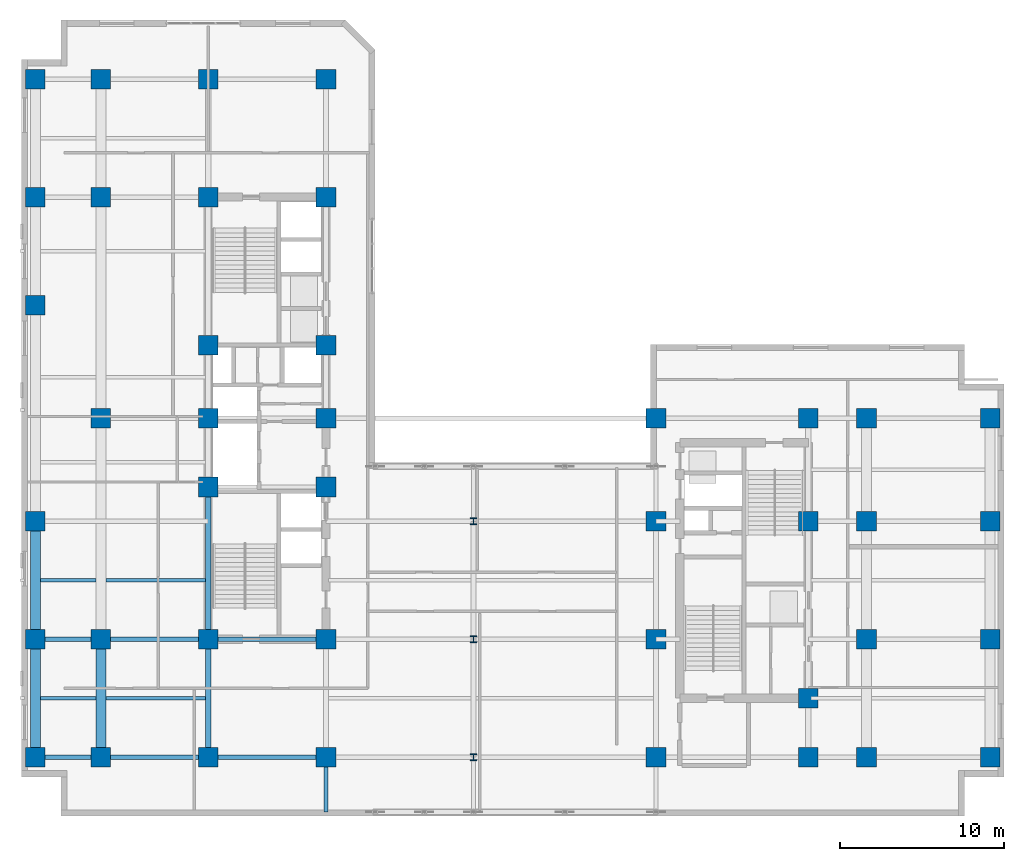
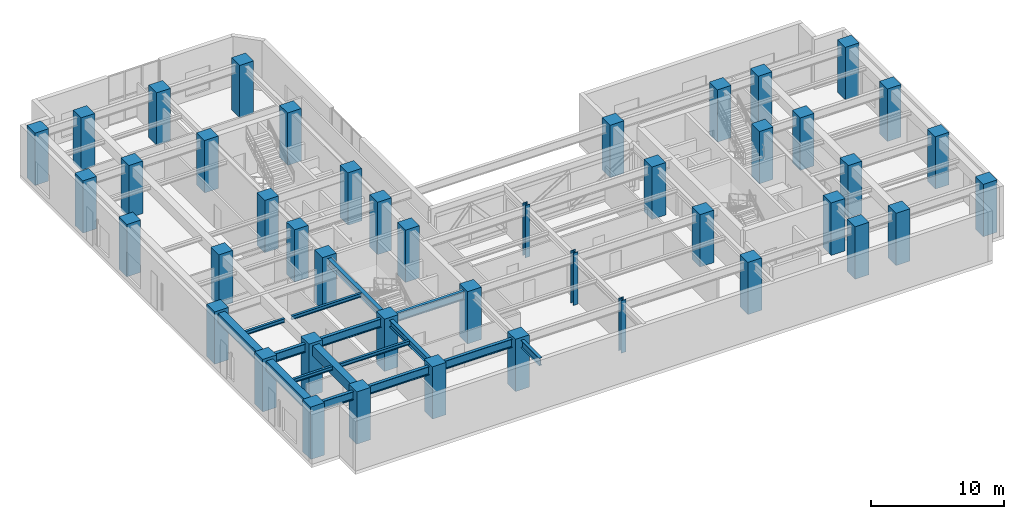
# One storey, part 1 of 18: 44 columns, 16 beams.
"""IFC4 building model written with IfcOpenShell, lengths in metres."""

from ifc_helpers import new_model, entity, si_unit, converted_unit, direction, frame, origin_with_axes, origin_2d_with_axis, place, context, subcontext, project, spatial, rectangle, i_section, extrude, material, material_profile, profile_set, type_object, element, save


model = new_model("IFC4")

# Units and contexts
model_context = context("Model", 3, precision=1e-05, world=origin_with_axes(), true_north=direction((0.0, 1.0)))
body_context = subcontext(model_context, "Body", "Model", "MODEL_VIEW")
ifc_project = project(units=[si_unit("LENGTHUNIT", "METRE"), si_unit("AREAUNIT", "SQUARE_METRE"), si_unit("VOLUMEUNIT", "CUBIC_METRE"), converted_unit("PLANEANGLEUNIT", "DEGREE", entity("IfcPlaneAngleMeasure", 0.017453292519943295), si_unit("PLANEANGLEUNIT", "RADIAN"), dimensions=[0, 0, 0, 0, 0, 0, 0]), si_unit("MASSUNIT", "GRAM", prefix="KILO"), si_unit("THERMODYNAMICTEMPERATUREUNIT", "KELVIN")], contexts=[model_context])

# Site, building, storey
site_placement = place(None, origin_with_axes())
site = spatial("IfcSite", under=ifc_project, at=site_placement, CompositionType="ELEMENT")
building_placement = place(site_placement, origin_with_axes())
building = spatial("IfcBuilding", under=site, at=building_placement, Name="Varnlund Millrace Tower", CompositionType="ELEMENT")
storey_placement = place(building_placement, frame((0.0, 0.0, 124.2), z_axis=(0.0, 0.0, 1.0), x_axis=(1.0, 0.0, 0.0)))
storey = spatial("IfcBuildingStorey", under=building, at=storey_placement, Name="L30", CompositionType="ELEMENT", Elevation=124.2)

# Columns
ifc_material_1 = material(Name="Steel ASTM A913 Grade 65", Category="steel")
ifc_material_profile_1 = material_profile(ifc_material_1, i_section(OverallWidth=0.406, OverallDepth=0.416, WebThickness=0.0298, FlangeThickness=0.048, FilletRadius=0.022, at=origin_2d_with_axis()), Name="Steel ASTM A913 Grade 65")
ifc_profile_set_1 = profile_set([ifc_material_profile_1], Name="Steel ASTM A913 Grade 65")
column_type_1 = type_object("IfcColumnType", Name="Type-Col-Int-W14X257", PredefinedType="COLUMN", material=ifc_profile_set_1)
for number, where, z_axis, x_axis, name in (
    (1, (27.6, 3.6, 0.0), (0.0, 0.0, 1.0), (1.0, 0.0, 0.0), "Type-Col-Int-W14X257"),
    (2, (27.6, 10.8, 0.0), (0.0, 0.0, 1.0), (1.0, 0.0, 0.0), "Type-Col-Int-W14X257"),
    (3, (27.6, 18.0, 0.0), (0.0, 0.0, 1.0), (1.0, 0.0, 0.0), "Type-Col-Int-W14X257"),
):
    element("IfcColumn", number, at=place(storey_placement, frame(where, z_axis=z_axis, x_axis=x_axis)), inside=storey, type_object=column_type_1, Name=name, PredefinedType="COLUMN", context=body_context, shape_type="SweptSolid", body=[
        extrude(i_section(OverallWidth=0.406, OverallDepth=0.416, WebThickness=0.0298, FlangeThickness=0.048, FilletRadius=0.022, at=origin_2d_with_axis()), origin_with_axes(), (0.0, 0.0, 1.0), 4.8),
    ])
ifc_material_2 = material(Name="Concrete C80/95", Category="concrete")
ifc_material_profile_2 = material_profile(ifc_material_2, rectangle(XDim=1.2, YDim=1.2, at=origin_2d_with_axis()), Name="Concrete C80/95")
ifc_profile_set_2 = profile_set([ifc_material_profile_2], Name="Concrete C80/95")
column_type_2 = type_object("IfcColumnType", Name="Type-Col-RC1200-C80", PredefinedType="COLUMN", material=ifc_profile_set_2)
for number, where, z_axis, x_axis, name in (
    (4, (11.4, 3.6, 0.0), (0.0, 0.0, 1.0), (1.0, 0.0, 0.0), "Type-Col-RC1200-C80"),
    (5, (11.4, 10.8, 0.0), (0.0, 0.0, 1.0), (1.0, 0.0, 0.0), "Type-Col-RC1200-C80"),
    (6, (11.4, 20.1, 0.0), (0.0, 0.0, 1.0), (1.0, 0.0, 0.0), "Type-Col-RC1200-C80"),
    (7, (11.4, 24.3, 0.0), (0.0, 0.0, 1.0), (1.0, 0.0, 0.0), "Type-Col-RC1200-C80"),
    (8, (11.4, 28.75, 0.0), (0.0, 0.0, 1.0), (1.0, 0.0, 0.0), "Type-Col-RC1200-C80"),
    (9, (11.4, 37.8, 0.0), (0.0, 0.0, 1.0), (1.0, 0.0, 0.0), "Type-Col-RC1200-C80"),
    (10, (11.4, 45.0, 0.0), (0.0, 0.0, 1.0), (1.0, 0.0, 0.0), "Type-Col-RC1200-C80"),
    (11, (18.6, 3.6, 0.0), (0.0, 0.0, 1.0), (1.0, 0.0, 0.0), "Type-Col-RC1200-C80"),
    (12, (18.6, 10.8, 0.0), (0.0, 0.0, 1.0), (1.0, 0.0, 0.0), "Type-Col-RC1200-C80"),
    (13, (18.6, 20.1, 0.0), (0.0, 0.0, 1.0), (1.0, 0.0, 0.0), "Type-Col-RC1200-C80"),
    (14, (18.6, 24.3, 0.0), (0.0, 0.0, 1.0), (1.0, 0.0, 0.0), "Type-Col-RC1200-C80"),
    (15, (18.6, 28.75, 0.0), (0.0, 0.0, 1.0), (1.0, 0.0, 0.0), "Type-Col-RC1200-C80"),
    (16, (18.6, 37.8, 0.0), (0.0, 0.0, 1.0), (1.0, 0.0, 0.0), "Type-Col-RC1200-C80"),
    (17, (18.6, 45.0, 0.0), (0.0, 0.0, 1.0), (1.0, 0.0, 0.0), "Type-Col-RC1200-C80"),
    (18, (4.85, 3.6, 0.0), (0.0, 0.0, 1.0), (1.0, 0.0, 0.0), "Type-Col-RC1200-C80"),
    (19, (4.85, 10.8, 0.0), (0.0, 0.0, 1.0), (1.0, 0.0, 0.0), "Type-Col-RC1200-C80"),
    (20, (4.85, 24.3, 0.0), (0.0, 0.0, 1.0), (1.0, 0.0, 0.0), "Type-Col-RC1200-C80"),
    (21, (4.85, 37.8, 0.0), (0.0, 0.0, 1.0), (1.0, 0.0, 0.0), "Type-Col-RC1200-C80"),
    (22, (4.85, 45.0, 0.0), (0.0, 0.0, 1.0), (1.0, 0.0, 0.0), "Type-Col-RC1200-C80"),
    (23, (0.85, 3.6, 0.0), (0.0, 0.0, 1.0), (1.0, 0.0, 0.0), "Type-Col-RC1200-C80"),
    (24, (0.85, 10.8, 0.0), (0.0, 0.0, 1.0), (1.0, 0.0, 0.0), "Type-Col-RC1200-C80"),
    (25, (0.85, 18.0, 0.0), (0.0, 0.0, 1.0), (1.0, 0.0, 0.0), "Type-Col-RC1200-C80"),
    (26, (0.85, 31.2, 0.0), (0.0, 0.0, 1.0), (1.0, 0.0, 0.0), "Type-Col-RC1200-C80"),
    (27, (0.85, 37.8, 0.0), (0.0, 0.0, 1.0), (1.0, 0.0, 0.0), "Type-Col-RC1200-C80"),
    (28, (0.85, 45.0, 0.0), (0.0, 0.0, 1.0), (1.0, 0.0, 0.0), "Type-Col-RC1200-C80"),
    (29, (38.75, 3.6, 0.0), (0.0, 0.0, 1.0), (1.0, 0.0, 0.0), "Type-Col-RC1200-C80"),
    (30, (38.75, 10.8, 0.0), (0.0, 0.0, 1.0), (1.0, 0.0, 0.0), "Type-Col-RC1200-C80"),
    (31, (38.75, 18.0, 0.0), (0.0, 0.0, 1.0), (1.0, 0.0, 0.0), "Type-Col-RC1200-C80"),
    (32, (38.75, 24.3, 0.0), (0.0, 0.0, 1.0), (1.0, 0.0, 0.0), "Type-Col-RC1200-C80"),
    (33, (48.05, 3.6, 0.0), (0.0, 0.0, 1.0), (1.0, 0.0, 0.0), "Type-Col-RC1200-C80"),
    (34, (48.05, 7.2, 0.0), (0.0, 0.0, 1.0), (1.0, 0.0, 0.0), "Type-Col-RC1200-C80"),
    (35, (48.05, 18.0, 0.0), (0.0, 0.0, 1.0), (1.0, 0.0, 0.0), "Type-Col-RC1200-C80"),
    (36, (48.05, 24.3, 0.0), (0.0, 0.0, 1.0), (1.0, 0.0, 0.0), "Type-Col-RC1200-C80"),
    (37, (51.6, 3.6, 0.0), (0.0, 0.0, 1.0), (1.0, 0.0, 0.0), "Type-Col-RC1200-C80"),
    (38, (51.6, 10.8, 0.0), (0.0, 0.0, 1.0), (1.0, 0.0, 0.0), "Type-Col-RC1200-C80"),
    (39, (51.6, 18.0, 0.0), (0.0, 0.0, 1.0), (1.0, 0.0, 0.0), "Type-Col-RC1200-C80"),
    (40, (51.6, 24.3, 0.0), (0.0, 0.0, 1.0), (1.0, 0.0, 0.0), "Type-Col-RC1200-C80"),
    (41, (59.15, 3.6, 0.0), (0.0, 0.0, 1.0), (1.0, 0.0, 0.0), "Type-Col-RC1200-C80"),
    (42, (59.15, 10.8, 0.0), (0.0, 0.0, 1.0), (1.0, 0.0, 0.0), "Type-Col-RC1200-C80"),
    (43, (59.15, 18.0, 0.0), (0.0, 0.0, 1.0), (1.0, 0.0, 0.0), "Type-Col-RC1200-C80"),
    (44, (59.15, 24.3, 0.0), (0.0, 0.0, 1.0), (1.0, 0.0, 0.0), "Type-Col-RC1200-C80"),
):
    element("IfcColumn", number, at=place(storey_placement, frame(where, z_axis=z_axis, x_axis=x_axis)), inside=storey, type_object=column_type_2, Name=name, PredefinedType="COLUMN", context=body_context, shape_type="SweptSolid", body=[
        extrude(rectangle(XDim=1.2, YDim=1.2, at=origin_2d_with_axis()), origin_with_axes(), (0.0, 0.0, 1.0), 4.8),
    ])

# Beams
ifc_material_3 = material(Name="Steel ASTM A992 Grade 50", Category="steel")
ifc_material_profile_3 = material_profile(ifc_material_3, i_section(OverallWidth=0.328, OverallDepth=0.628, WebThickness=0.0165, FlangeThickness=0.0277, FilletRadius=0.018, at=origin_2d_with_axis()), Name="Steel ASTM A992 Grade 50")
ifc_profile_set_3 = profile_set([ifc_material_profile_3], Name="Steel ASTM A992 Grade 50")
beam_type_1 = type_object("IfcBeamType", Name="Type-Girder-W24X146", PredefinedType="USERDEFINED", material=ifc_profile_set_3)
beam_1_placement = place(storey_placement, frame((11.4, 3.6, 4.246), z_axis=(0.0, 1.0, 0.0), x_axis=(-1.0, 0.0, 0.0)))
element("IfcBeam", 45, at=beam_1_placement, inside=storey, type_object=beam_type_1, Name="Type-Girder-W24X146", ObjectType="GIRDER", PredefinedType="USERDEFINED", context=body_context, shape_type="SweptSolid", body=[
    extrude(i_section(OverallWidth=0.328, OverallDepth=0.628, WebThickness=0.0165, FlangeThickness=0.0277, FilletRadius=0.018, at=origin_2d_with_axis()), origin_with_axes(), (0.0, 0.0, 1.0), 7.2),
])
beam_2_placement = place(storey_placement, frame((11.4, 10.8, 4.246), z_axis=(0.0, 1.0, 0.0), x_axis=(-1.0, 0.0, 0.0)))
element("IfcBeam", 46, at=beam_2_placement, inside=storey, type_object=beam_type_1, Name="Type-Girder-W24X146", ObjectType="GIRDER", PredefinedType="USERDEFINED", context=body_context, shape_type="SweptSolid", body=[
    extrude(i_section(OverallWidth=0.328, OverallDepth=0.628, WebThickness=0.0165, FlangeThickness=0.0277, FilletRadius=0.018, at=origin_2d_with_axis()), origin_with_axes(), (0.0, 0.0, 1.0), 9.3),
])
ifc_material_profile_4 = material_profile(ifc_material_3, i_section(OverallWidth=0.256, OverallDepth=0.693, WebThickness=0.0145, FlangeThickness=0.0236, FilletRadius=0.018, at=origin_2d_with_axis()), Name="Steel ASTM A992 Grade 50")
ifc_profile_set_4 = profile_set([ifc_material_profile_4], Name="Steel ASTM A992 Grade 50")
beam_type_2 = type_object("IfcBeamType", Name="Type-Girder-W27X114", PredefinedType="USERDEFINED", material=ifc_profile_set_4)
beam_3_placement = place(storey_placement, frame((18.6, 0.25, 4.2135), z_axis=(0.0, 1.0, 0.0), x_axis=(-1.0, 0.0, 0.0)))
element("IfcBeam", 47, at=beam_3_placement, inside=storey, type_object=beam_type_2, Name="Type-Girder-W27X114", ObjectType="GIRDER", PredefinedType="USERDEFINED", context=body_context, shape_type="SweptSolid", body=[
    extrude(i_section(OverallWidth=0.256, OverallDepth=0.693, WebThickness=0.0145, FlangeThickness=0.0236, FilletRadius=0.018, at=origin_2d_with_axis()), origin_with_axes(), (0.0, 0.0, 1.0), 3.21),
])
ifc_material_profile_5 = material_profile(ifc_material_3, i_section(OverallWidth=0.266, OverallDepth=0.779, WebThickness=0.0165, FlangeThickness=0.03, FilletRadius=0.02, at=origin_2d_with_axis()), Name="Steel ASTM A992 Grade 50")
ifc_profile_set_5 = profile_set([ifc_material_profile_5], Name="Steel ASTM A992 Grade 50")
beam_type_3 = type_object("IfcBeamType", Name="Type-Girder-W30X148", PredefinedType="USERDEFINED", material=ifc_profile_set_5)
beam_4_placement = place(storey_placement, frame((0.85, 3.6, 4.1705), z_axis=(1.0, 0.0, 0.0), x_axis=(0.0, 1.0, 0.0)))
element("IfcBeam", 48, at=beam_4_placement, inside=storey, type_object=beam_type_3, Name="Type-Girder-W30X148", ObjectType="GIRDER", PredefinedType="USERDEFINED", context=body_context, shape_type="SweptSolid", body=[
    extrude(i_section(OverallWidth=0.266, OverallDepth=0.779, WebThickness=0.0165, FlangeThickness=0.03, FilletRadius=0.02, at=origin_2d_with_axis()), origin_with_axes(), (0.0, 0.0, 1.0), 4.0),
])
beam_5_placement = place(storey_placement, frame((4.85, 3.6, 4.1705), z_axis=(1.0, 0.0, 0.0), x_axis=(0.0, 1.0, 0.0)))
element("IfcBeam", 49, at=beam_5_placement, inside=storey, type_object=beam_type_3, Name="Type-Girder-W30X148", ObjectType="GIRDER", PredefinedType="USERDEFINED", context=body_context, shape_type="SweptSolid", body=[
    extrude(i_section(OverallWidth=0.266, OverallDepth=0.779, WebThickness=0.0165, FlangeThickness=0.03, FilletRadius=0.02, at=origin_2d_with_axis()), origin_with_axes(), (0.0, 0.0, 1.0), 6.55),
])
beam_6_placement = place(storey_placement, frame((11.4, 3.6, 4.1705), z_axis=(1.0, 0.0, 0.0), x_axis=(0.0, 1.0, 0.0)))
element("IfcBeam", 50, at=beam_6_placement, inside=storey, type_object=beam_type_3, Name="Type-Girder-W30X148", ObjectType="GIRDER", PredefinedType="USERDEFINED", context=body_context, shape_type="SweptSolid", body=[
    extrude(i_section(OverallWidth=0.266, OverallDepth=0.779, WebThickness=0.0165, FlangeThickness=0.03, FilletRadius=0.02, at=origin_2d_with_axis()), origin_with_axes(), (0.0, 0.0, 1.0), 7.2),
])
beam_7_placement = place(storey_placement, frame((0.85, 10.8, 4.1705), z_axis=(1.0, 0.0, 0.0), x_axis=(0.0, 1.0, 0.0)))
element("IfcBeam", 51, at=beam_7_placement, inside=storey, type_object=beam_type_3, Name="Type-Girder-W30X148", ObjectType="GIRDER", PredefinedType="USERDEFINED", context=body_context, shape_type="SweptSolid", body=[
    extrude(i_section(OverallWidth=0.266, OverallDepth=0.779, WebThickness=0.0165, FlangeThickness=0.03, FilletRadius=0.02, at=origin_2d_with_axis()), origin_with_axes(), (0.0, 0.0, 1.0), 4.0),
])
beam_8_placement = place(storey_placement, frame((4.85, 10.8, 4.1705), z_axis=(1.0, 0.0, 0.0), x_axis=(0.0, 1.0, 0.0)))
element("IfcBeam", 52, at=beam_8_placement, inside=storey, type_object=beam_type_3, Name="Type-Girder-W30X148", ObjectType="GIRDER", PredefinedType="USERDEFINED", context=body_context, shape_type="SweptSolid", body=[
    extrude(i_section(OverallWidth=0.266, OverallDepth=0.779, WebThickness=0.0165, FlangeThickness=0.03, FilletRadius=0.02, at=origin_2d_with_axis()), origin_with_axes(), (0.0, 0.0, 1.0), 6.55),
])
beam_9_placement = place(storey_placement, frame((11.4, 10.8, 4.1705), z_axis=(1.0, 0.0, 0.0), x_axis=(0.0, 1.0, 0.0)))
element("IfcBeam", 53, at=beam_9_placement, inside=storey, type_object=beam_type_3, Name="Type-Girder-W30X148", ObjectType="GIRDER", PredefinedType="USERDEFINED", context=body_context, shape_type="SweptSolid", body=[
    extrude(i_section(OverallWidth=0.266, OverallDepth=0.779, WebThickness=0.0165, FlangeThickness=0.03, FilletRadius=0.02, at=origin_2d_with_axis()), origin_with_axes(), (0.0, 0.0, 1.0), 7.2),
])
ifc_material_profile_6 = material_profile(ifc_material_3, i_section(OverallWidth=0.204, OverallDepth=0.35, WebThickness=0.0086, FlangeThickness=0.0151, FilletRadius=0.013, at=origin_2d_with_axis()), Name="Steel ASTM A992 Grade 50")
ifc_profile_set_6 = profile_set([ifc_material_profile_6], Name="Steel ASTM A992 Grade 50")
beam_type_4 = type_object("IfcBeamType", Name="Type-Joist-W14X48", PredefinedType="JOIST", material=ifc_profile_set_6)
for number, where, z_axis, x_axis, name in (
    (54, (1.15, 7.2, 4.385), (1.0, 0.0, 0.0), (0.0, 1.0, 0.0), "Type-Joist-W14X48"),
    (55, (1.15, 14.4, 4.385), (1.0, 0.0, 0.0), (0.0, 1.0, 0.0), "Type-Joist-W14X48"),
):
    element("IfcBeam", number, at=place(storey_placement, frame(where, z_axis=z_axis, x_axis=x_axis)), inside=storey, type_object=beam_type_4, Name=name, PredefinedType="JOIST", context=body_context, shape_type="SweptSolid", body=[
        extrude(i_section(OverallWidth=0.204, OverallDepth=0.35, WebThickness=0.0086, FlangeThickness=0.0151, FilletRadius=0.013, at=origin_2d_with_axis()), origin_with_axes(), (0.0, 0.0, 1.0), 3.4),
    ])
for number, where, z_axis, x_axis, name in (
    (56, (5.15, 7.2, 4.385), (1.0, 0.0, 0.0), (0.0, 1.0, 0.0), "Type-Joist-W14X48"),
    (57, (5.15, 14.4, 4.385), (1.0, 0.0, 0.0), (0.0, 1.0, 0.0), "Type-Joist-W14X48"),
):
    element("IfcBeam", number, at=place(storey_placement, frame(where, z_axis=z_axis, x_axis=x_axis)), inside=storey, type_object=beam_type_4, Name=name, PredefinedType="JOIST", context=body_context, shape_type="SweptSolid", body=[
        extrude(i_section(OverallWidth=0.204, OverallDepth=0.35, WebThickness=0.0086, FlangeThickness=0.0151, FilletRadius=0.013, at=origin_2d_with_axis()), origin_with_axes(), (0.0, 0.0, 1.0), 6.086),
    ])
ifc_material_4 = material(Name="Concrete C70/85", Category="concrete")
ifc_material_profile_7 = material_profile(ifc_material_4, rectangle(XDim=0.6, YDim=0.9, at=origin_2d_with_axis()), Name="Concrete C70/85")
ifc_profile_set_7 = profile_set([ifc_material_profile_7], Name="Concrete C70/85")
beam_type_5 = type_object("IfcBeamType", Name="Type-Spandrel-RC600X900", PredefinedType="SPANDREL", material=ifc_profile_set_7)
for number, where, z_axis, x_axis, name in (
    (58, (0.85, 3.6, 4.11), (0.0, 1.0, 0.0), (-1.0, 0.0, 0.0), "Type-Spandrel-RC600X900"),
    (59, (0.85, 10.8, 4.11), (0.0, 1.0, 0.0), (-1.0, 0.0, 0.0), "Type-Spandrel-RC600X900"),
    (60, (4.85, 3.6, 4.11), (0.0, 1.0, 0.0), (-1.0, 0.0, 0.0), "Type-Spandrel-RC600X900"),
):
    element("IfcBeam", number, at=place(storey_placement, frame(where, z_axis=z_axis, x_axis=x_axis)), inside=storey, type_object=beam_type_5, Name=name, PredefinedType="SPANDREL", context=body_context, shape_type="SweptSolid", body=[
        extrude(rectangle(XDim=0.6, YDim=0.9, at=origin_2d_with_axis()), origin_with_axes(), (0.0, 0.0, 1.0), 7.2),
    ])

save(model, "model.ifc")
